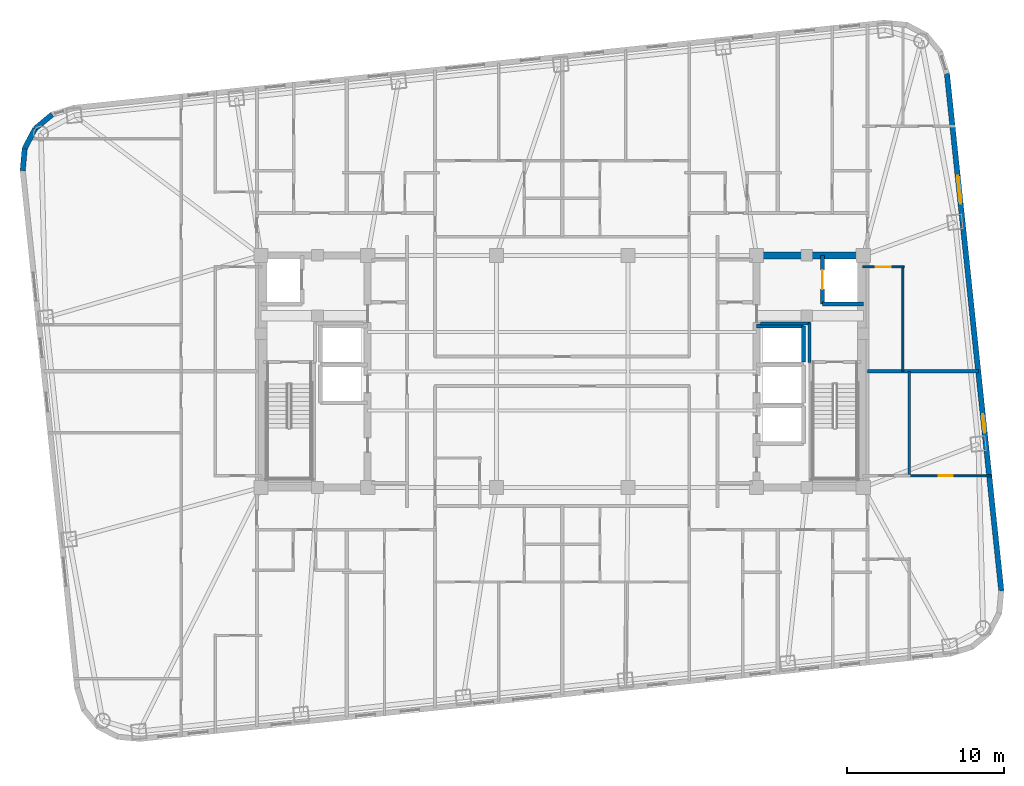
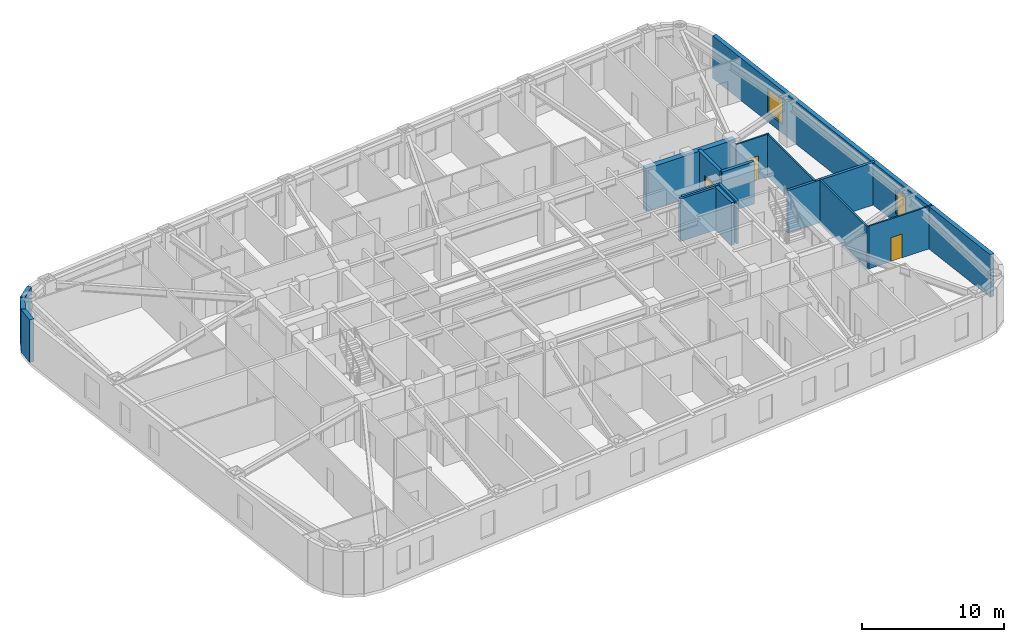
# One storey, part 7 of 12: 16 walls, 3 doors, 2 windows, 5 openings.
"""IFC4 building model written with IfcOpenShell, lengths in metres."""

from ifc_helpers import new_model, si_unit, direction, frame, frame_2d, origin, place, context, subcontext, project, spatial, rectangle, extrude, material, layer, layer_set, type_object, element, fill, save


model = new_model("IFC4")

# Units and contexts
model_context = context("Model", 3, precision=1e-05, world=origin(), true_north=direction((0.0, 1.0)))
body_context = subcontext(model_context, "Body", "Model", "MODEL_VIEW")
ifc_project = project(units=[si_unit("LENGTHUNIT", "METRE"), si_unit("AREAUNIT", "SQUARE_METRE"), si_unit("VOLUMEUNIT", "CUBIC_METRE"), si_unit("PLANEANGLEUNIT", "RADIAN"), si_unit("MASSUNIT", "GRAM", prefix="KILO")], contexts=[model_context])

# Site, building, storey
site_placement = place(None, origin())
site = spatial("IfcSite", under=ifc_project, at=site_placement, CompositionType="ELEMENT")
building_placement = place(site_placement, origin())
building = spatial("IfcBuilding", under=site, at=building_placement, Name="Voryun Gate Residences", CompositionType="ELEMENT")
storey_placement = place(building_placement, frame((0.0, 0.0, 179.39990234375)))
storey = spatial("IfcBuildingStorey", under=building, at=storey_placement, Name="L44", CompositionType="ELEMENT", Elevation=179.39990234375)

# Walls
ifc_material_1 = material(Name="Concrete C50/60", Category="concrete")
ifc_layer_1 = layer(ifc_material_1, 0.449951171875, Name="CW_CORE_450")
ifc_layer_set_1 = layer_set([ifc_layer_1], Name="Concrete C50/60")
wall_type_1 = type_object("IfcWallType", Name="CW_CORE_450", PredefinedType="SHEAR", material=ifc_layer_set_1)
wall_1_placement = place(storey_placement, frame((12.175048828125, 7.39990234375, 0.0), z_axis=(0.0, 0.0, 1.0), x_axis=(1.0, 0.0, 0.0)))
element("IfcWall", 1, at=wall_1_placement, inside=storey, type_object=wall_type_1, Name="L44 Core shear wall CW-L44-EN", PredefinedType="SHEAR", context=body_context, shape_type="SweptSolid", body=[
    extrude(rectangle(XDim=7.25, YDim=0.449951171875, at=frame_2d((3.625, 0.0))), origin(), (0.0, 0.0, 1.0), 3.650146484375),
])
ifc_material_2 = material(Name="Charcoal terracotta masonry", Category="masonry")
ifc_layer_2 = layer(ifc_material_2, 0.340087890625, Name="W_EXT_TERRACOTTA_340")
ifc_layer_set_2 = layer_set([ifc_layer_2], Name="Charcoal terracotta masonry")
wall_type_2 = type_object("IfcWallType", Name="W_EXT_TERRACOTTA_340", PredefinedType="ELEMENTEDWALL", material=ifc_layer_set_2)
wall_2_placement = place(storey_placement, frame((-34.401123046875, 12.795166015625, 0.0), z_axis=(0.0, 0.0, 1.0), x_axis=(0.091534682358, 0.995801888894, 0.0)))
element("IfcWall", 2, at=wall_2_placement, inside=storey, type_object=wall_type_2, Name="Exterior wall WEXT-L44-07", PredefinedType="ELEMENTEDWALL", context=body_context, shape_type="SweptSolid", body=[
    extrude(rectangle(XDim=1.432373046875, YDim=0.340087890625, at=frame_2d((0.71630859375, 0.0))), origin(), (0.0, 0.0, 1.0), 3.650146484375),
])
for number, where, z_axis, x_axis, name in (
    (3, (-34.27001953125, 14.221435546875, 0.0), (0.0, 0.0, 1.0), (0.465682431293, 0.884951904447, 0.0), "Exterior wall WEXT-L44-08"),
    (4, (-33.611083984375, 15.4736328125, 0.0), (0.0, 0.0, 1.0), (0.768843196093, 0.639437361921, 0.0), "Exterior wall WEXT-L44-09"),
):
    element("IfcWall", number, at=place(storey_placement, frame(where, z_axis=z_axis, x_axis=x_axis)), inside=storey, type_object=wall_type_2, Name=name, PredefinedType="ELEMENTEDWALL", context=body_context, shape_type="SweptSolid", body=[
        extrude(rectangle(XDim=1.4150390625, YDim=0.340087890625, at=frame_2d((0.70751953125, 0.0))), origin(), (0.0, 0.0, 1.0), 3.650146484375),
    ])

# Wall, openings, windows
wall_3_placement = place(storey_placement, frame((24.5341796875, 18.989501953125, 0.0), z_axis=(0.0, 0.0, 1.0), x_axis=(0.104534959766, -0.994521212537, 0.0)))
wall_3 = element("IfcWall", 5, at=wall_3_placement, inside=storey, type_object=wall_type_2, Name="Exterior wall WEXT-L44-16", PredefinedType="ELEMENTEDWALL", context=body_context, shape_type="SweptSolid", body=[
    extrude(rectangle(XDim=33.166259765625, YDim=0.340087890625, at=frame_2d((16.5830078125, 0.0))), origin(), (0.0, 0.0, 1.0), 3.650146484375),
])
opening_1_placement = place(wall_3_placement, frame((6.54150390625, 0.0, 0.75)))
opening_1 = element("IfcOpeningElement", 6, at=opening_1_placement, cuts=wall_3, Name="Opening WN1", PredefinedType="OPENING", context=body_context, shape_type="SweptSolid", body=[
    extrude(rectangle(XDim=1.800048828125, YDim=2.10009765625, at=frame_2d((0.89990234375, 1.050048828125))), frame((0.0, 0.179931640625, 0.0), z_axis=(0.0, -1.0, 0.0), x_axis=(1.0, 0.0, 0.0)), (0.0, 0.0, 1.0), 0.360107421875),
])
opening_2_placement = place(wall_3_placement, frame((21.840087890625, 0.0, 0.75)))
opening_2 = element("IfcOpeningElement", 7, at=opening_2_placement, cuts=wall_3, Name="Opening WN6", PredefinedType="OPENING", context=body_context, shape_type="SweptSolid", body=[
    extrude(rectangle(XDim=1.199951171875, YDim=2.050048828125, at=frame_2d((0.60009765625, 1.02490234375))), frame((0.0, 0.179931640625, 0.0), z_axis=(0.0, -1.0, 0.0), x_axis=(1.0, 0.0, 0.0)), (0.0, 0.0, 1.0), 0.360107421875),
])
ifc_material_3 = material(Name="Laminated low-E glass", Category="glass")
window_type_1 = type_object("IfcWindowType", Name="WN_POD_SLOT_1200", PartitioningType="SINGLE_PANEL", PredefinedType="WINDOW", material=ifc_material_3)
window_1_placement = place(opening_2_placement, origin())
window_1 = element("IfcWindow", 8, at=window_1_placement, inside=storey, type_object=window_type_1, Name="Window WN-L44-DWFIX-27", OverallHeight=2.050048828125, OverallWidth=1.199951171875, PartitioningType="SINGLE_PANEL", PredefinedType="WINDOW", context=body_context, shape_type="SweptSolid", body=[
    extrude(rectangle(XDim=1.199951171875, YDim=2.050048828125, at=frame_2d((0.60009765625, 1.02490234375))), frame((0.0, 0.030029296875, 0.0), z_axis=(0.0, -1.0, 0.0), x_axis=(1.0, 0.0, 0.0)), (0.0, 0.0, 1.0), 0.06005859375),
])
fill(opening_2, window_1)
ifc_material_4 = material(Name="Laminated low-E glass", Category="glass")
window_type_2 = type_object("IfcWindowType", Name="WN_RES_PUNCH_1800", PartitioningType="SINGLE_PANEL", PredefinedType="WINDOW", material=ifc_material_4)
window_2_placement = place(opening_1_placement, origin())
window_2 = element("IfcWindow", 9, at=window_2_placement, inside=storey, type_object=window_type_2, Name="Window WN-WEXT-L44-16-01", OverallHeight=2.10009765625, OverallWidth=1.800048828125, PartitioningType="SINGLE_PANEL", PredefinedType="WINDOW", context=body_context, shape_type="SweptSolid", body=[
    extrude(rectangle(XDim=1.800048828125, YDim=2.10009765625, at=frame_2d((0.89990234375, 1.050048828125))), frame((0.0, 0.030029296875, 0.0), z_axis=(0.0, -1.0, 0.0), x_axis=(1.0, 0.0, 0.0)), (0.0, 0.0, 1.0), 0.06005859375),
])
fill(opening_1, window_2)

# Walls
ifc_material_5 = material(Name="Concrete C40/50", Category="concrete")
ifc_layer_3 = layer(ifc_material_5, 0.199951171875, Name="W_FF_LOBBY_200")
ifc_layer_set_3 = layer_set([ifc_layer_3], Name="Concrete C40/50")
wall_type_3 = type_object("IfcWallType", Name="W_FF_LOBBY_200", PredefinedType="PARTITIONING", material=ifc_layer_set_3)
wall_4_placement = place(storey_placement, frame((15.760009765625, 0.580078125, 0.0), z_axis=(0.0, 0.0, 1.0), x_axis=(0.0, 1.0, 0.0)))
element("IfcWall", 10, at=wall_4_placement, inside=storey, type_object=wall_type_3, Name="Partition wall WP-L44-FFP0-E", PredefinedType="PARTITIONING", context=body_context, shape_type="SweptSolid", body=[
    extrude(rectangle(XDim=2.52001953125, YDim=0.199951171875, at=frame_2d((1.260009765625, 0.0))), origin(), (0.0, 0.0, 1.0), 3.650146484375),
])
wall_5_placement = place(storey_placement, frame((12.659912109375, 3.06005859375, 0.0), z_axis=(0.0, 0.0, 1.0), x_axis=(1.0, 0.0, 0.0)))
element("IfcWall", 11, at=wall_5_placement, inside=storey, type_object=wall_type_3, Name="Partition wall WP-L44-FFPS-E", PredefinedType="PARTITIONING", context=body_context, shape_type="SweptSolid", body=[
    extrude(rectangle(XDim=3.16015625, YDim=0.199951171875, at=frame_2d((1.580078125, 0.0))), origin(), (0.0, 0.0, 1.0), 3.650146484375),
])
ifc_material_6 = material(Name="Concrete C40/50", Category="concrete")
ifc_layer_4 = layer(ifc_material_6, 0.219970703125, Name="W_PARTY_ACOUSTIC_220")
ifc_layer_set_4 = layer_set([ifc_layer_4], Name="Concrete C40/50")
wall_type_4 = type_object("IfcWallType", Name="W_PARTY_ACOUSTIC_220", PredefinedType="PARTITIONING", material=ifc_layer_set_4)
wall_6_placement = place(storey_placement, frame((19.469970703125, 0.0, 0.0), z_axis=(0.0, 0.0, 1.0), x_axis=(1.0, 0.0, 0.0)))
element("IfcWall", 12, at=wall_6_placement, inside=storey, type_object=wall_type_4, Name="Partition wall WP-L44-EPTY", PredefinedType="PARTITIONING", context=body_context, shape_type="SweptSolid", body=[
    extrude(rectangle(XDim=7.06005859375, YDim=0.219970703125, at=frame_2d((3.530029296875, 0.0))), origin(), (0.0, 0.0, 1.0), 3.650146484375),
])
ifc_material_7 = material(Name="Concrete C50/60", Category="concrete")
ifc_layer_5 = layer(ifc_material_7, 0.25, Name="W_SHAFT_RC250")
ifc_layer_set_5 = layer_set([ifc_layer_5], Name="Concrete C50/60")
wall_type_5 = type_object("IfcWallType", Name="W_SHAFT_RC250", PredefinedType="SOLIDWALL", material=ifc_layer_set_5)
wall_7_placement = place(storey_placement, frame((16.60009765625, 4.300048828125, 0.0), z_axis=(0.0, 0.0, 1.0), x_axis=(1.0, 0.0, 0.0)))
element("IfcWall", 13, at=wall_7_placement, inside=storey, type_object=wall_type_5, Name="Lift shaft wall WSH-L44-EL-FF-E1-S", PredefinedType="SOLIDWALL", context=body_context, shape_type="SweptSolid", body=[
    extrude(rectangle(XDim=2.599853515625, YDim=0.25, at=frame_2d((1.2998046875, 0.0))), origin(), (0.0, 0.0, 1.0), 3.650146484375),
])

# Wall, opening, door
wall_8_placement = place(storey_placement, frame((16.60009765625, 7.39990234375, 0.0), z_axis=(0.0, 0.0, 1.0), x_axis=(0.0, -1.0, 0.0)))
wall_8 = element("IfcWall", 14, at=wall_8_placement, inside=storey, type_object=wall_type_5, Name="Lift shaft wall WSH-L44-EL-FF-E1-W", PredefinedType="SOLIDWALL", context=body_context, shape_type="SweptSolid", body=[
    extrude(rectangle(XDim=3.099853515625, YDim=0.25, at=frame_2d((1.5498046875, 0.0))), origin(), (0.0, 0.0, 1.0), 3.650146484375),
])
opening_3_placement = place(wall_8_placement, frame((0.949951171875, 0.0, 0.0)))
opening_3 = element("IfcOpeningElement", 15, at=opening_3_placement, cuts=wall_8, Name="Opening LD1", PredefinedType="OPENING", context=body_context, shape_type="SweptSolid", body=[
    extrude(rectangle(XDim=1.199951171875, YDim=2.050048828125, at=frame_2d((0.60009765625, 1.02490234375))), frame((0.0, 0.135009765625, 0.0), z_axis=(0.0, -1.0, 0.0), x_axis=(1.0, 0.0, 0.0)), (0.0, 0.0, 1.0), 0.27001953125),
])
ifc_material_8 = material(Name="Anodised aluminium", Category="aluminium")
door_type_1 = type_object("IfcDoorType", Name="DR_LD_FF_1200", OperationType="NOTDEFINED", PredefinedType="DOOR", material=ifc_material_8)
door_1_placement = place(opening_3_placement, origin())
door_1 = element("IfcDoor", 16, at=door_1_placement, inside=storey, type_object=door_type_1, Name="Lift EL-FF-E1 sliding landing door L44", OperationType="SLIDING_TO_LEFT", OverallHeight=2.050048828125, OverallWidth=1.199951171875, PredefinedType="DOOR", context=body_context, shape_type="SweptSolid", body=[
    extrude(rectangle(XDim=1.199951171875, YDim=2.050048828125, at=frame_2d((0.60009765625, 1.02490234375))), frame((0.0, 0.02490234375, 0.0), z_axis=(0.0, -1.0, 0.0), x_axis=(1.0, 0.0, 0.0)), (0.0, 0.0, 1.0), 0.050048828125),
])
fill(opening_3, door_1)

# Walls
wall_9_placement = place(storey_placement, frame((15.39990234375, 0.60009765625, 0.0), z_axis=(0.0, 0.0, 1.0), x_axis=(0.0, 1.0, 0.0)))
element("IfcWall", 17, at=wall_9_placement, inside=storey, type_object=wall_type_5, Name="Lift shaft wall WSH-L44-EL-P8-E", PredefinedType="SOLIDWALL", context=body_context, shape_type="SweptSolid", body=[
    extrude(rectangle(XDim=2.2998046875, YDim=0.25, at=frame_2d((1.14990234375, 0.0))), origin(), (0.0, 0.0, 1.0), 3.650146484375),
])
wall_10_placement = place(storey_placement, frame((15.39990234375, 2.89990234375, 0.0), z_axis=(0.0, 0.0, 1.0), x_axis=(-1.0, 0.0, 0.0)))
element("IfcWall", 18, at=wall_10_placement, inside=storey, type_object=wall_type_5, Name="Lift shaft wall WSH-L44-EL-P8-N", PredefinedType="SOLIDWALL", context=body_context, shape_type="SweptSolid", body=[
    extrude(rectangle(XDim=3.0, YDim=0.25, at=frame_2d((1.5, 0.0))), origin(), (0.0, 0.0, 1.0), 3.650146484375),
])

# Wall, opening, door
ifc_material_9 = material(Name="Gypsum acoustic partition")
ifc_layer_6 = layer(ifc_material_9, 0.125, Name="W_UNIT_PART_125")
ifc_layer_set_6 = layer_set([ifc_layer_6], Name="Gypsum acoustic partition")
wall_type_6 = type_object("IfcWallType", Name="W_UNIT_PART_125", PredefinedType="PARTITIONING", material=ifc_layer_set_6)
wall_11_placement = place(storey_placement, frame((22.06005859375, -6.659912109375, 0.0), z_axis=(0.0, 0.0, 1.0), x_axis=(1.0, 0.0, 0.0)))
wall_11 = element("IfcWall", 19, at=wall_11_placement, inside=storey, type_object=wall_type_6, Name="Partition wall WP-L44-E1-OHZ", PredefinedType="PARTITIONING", context=body_context, shape_type="SweptSolid", body=[
    extrude(rectangle(XDim=5.321044921875, YDim=0.125, at=frame_2d((2.66064453125, 0.0))), origin(), (0.0, 0.0, 1.0), 3.650146484375),
])
opening_4_placement = place(wall_11_placement, frame((1.944580078125, 0.0, 0.0)))
opening_4 = element("IfcOpeningElement", 20, at=opening_4_placement, cuts=wall_11, Name="Opening D-INT-2", PredefinedType="OPENING", context=body_context, shape_type="SweptSolid", body=[
    extrude(rectangle(XDim=0.89990234375, YDim=2.050048828125, at=frame_2d((0.449951171875, 1.02490234375))), frame((0.0, 0.072509765625, 0.0), z_axis=(0.0, -1.0, 0.0), x_axis=(1.0, 0.0, 0.0)), (0.0, 0.0, 1.0), 0.14501953125),
])
ifc_material_10 = material(Name="Architectural oak veneer")
door_type_2 = type_object("IfcDoorType", Name="DR_INT_BATH_900", OperationType="NOTDEFINED", PredefinedType="DOOR", material=ifc_material_10)
door_2_placement = place(opening_4_placement, origin())
door_2 = element("IfcDoor", 21, at=door_2_placement, inside=storey, type_object=door_type_2, Name="Door DR-L44-E1-DMB", OperationType="SINGLE_SWING_LEFT", OverallHeight=2.050048828125, OverallWidth=0.89990234375, PredefinedType="DOOR", context=body_context, shape_type="SweptSolid", body=[
    extrude(rectangle(XDim=0.89990234375, YDim=2.050048828125, at=frame_2d((0.449951171875, 1.02490234375))), frame((0.0, 0.02490234375, 0.0), z_axis=(0.0, -1.0, 0.0), x_axis=(1.0, 0.0, 0.0)), (0.0, 0.0, 1.0), 0.050048828125),
])
fill(opening_4, door_2)

wall_12_placement = place(storey_placement, frame((19.14990234375, 6.659912109375, 0.0), z_axis=(0.0, 0.0, 1.0), x_axis=(1.0, 0.0, 0.0)))
wall_12 = element("IfcWall", 22, at=wall_12_placement, inside=storey, type_object=wall_type_6, Name="Partition wall WP-L44-E2-IKA", PredefinedType="PARTITIONING", context=body_context, shape_type="SweptSolid", body=[
    extrude(rectangle(XDim=2.6591796875, YDim=0.125, at=frame_2d((1.32958984375, 0.0))), origin(), (0.0, 0.0, 1.0), 3.650146484375),
])
opening_5_placement = place(wall_12_placement, frame((0.8544921875, 0.0, 0.0)))
opening_5 = element("IfcOpeningElement", 23, at=opening_5_placement, cuts=wall_12, Name="Opening D-INT-1", PredefinedType="OPENING", context=body_context, shape_type="SweptSolid", body=[
    extrude(rectangle(XDim=0.949951171875, YDim=2.050048828125, at=frame_2d((0.47509765625, 1.02490234375))), frame((0.0, 0.072509765625, 0.0), z_axis=(0.0, -1.0, 0.0), x_axis=(1.0, 0.0, 0.0)), (0.0, 0.0, 1.0), 0.14501953125),
])
ifc_material_11 = material(Name="Architectural oak veneer")
door_type_3 = type_object("IfcDoorType", Name="DR_INT_ROOM_950", OperationType="NOTDEFINED", PredefinedType="DOOR", material=ifc_material_11)
door_3_placement = place(opening_5_placement, origin())
door_3 = element("IfcDoor", 24, at=door_3_placement, inside=storey, type_object=door_type_3, Name="Door DR-L44-E2-DK", OperationType="SINGLE_SWING_LEFT", OverallHeight=2.050048828125, OverallWidth=0.949951171875, PredefinedType="DOOR", context=body_context, shape_type="SweptSolid", body=[
    extrude(rectangle(XDim=0.949951171875, YDim=2.050048828125, at=frame_2d((0.47509765625, 1.02490234375))), frame((0.0, 0.02490234375, 0.0), z_axis=(0.0, -1.0, 0.0), x_axis=(1.0, 0.0, 0.0)), (0.0, 0.0, 1.0), 0.050048828125),
])
fill(opening_5, door_3)

# Walls
wall_13_placement = place(storey_placement, frame((21.72900390625, 0.02001953125, 0.0), z_axis=(0.0, 0.0, 1.0), x_axis=(0.0, 1.0, 0.0)))
element("IfcWall", 25, at=wall_13_placement, inside=storey, type_object=wall_type_6, Name="Partition wall WP-L44-E2-VTA", PredefinedType="PARTITIONING", context=body_context, shape_type="SweptSolid", body=[
    extrude(rectangle(XDim=6.719970703125, YDim=0.125, at=frame_2d((3.35986328125, 0.0))), origin(), (0.0, 0.0, 1.0), 3.650146484375),
])
ifc_material_12 = material(Name="Gypsum moisture-resistant partition")
ifc_layer_7 = layer(ifc_material_12, 0.14990234375, Name="W_WET_PLUMB_150")
ifc_layer_set_7 = layer_set([ifc_layer_7], Name="Gypsum moisture-resistant partition")
wall_type_7 = type_object("IfcWallType", Name="W_WET_PLUMB_150", PredefinedType="PLUMBINGWALL", material=ifc_layer_set_7)
wall_14_placement = place(storey_placement, frame((22.1201171875, -6.739990234375, 0.0), z_axis=(0.0, 0.0, 1.0), x_axis=(0.0, 1.0, 0.0)))
element("IfcWall", 26, at=wall_14_placement, inside=storey, type_object=wall_type_7, Name="Partition wall WP-L44-E1-VTB", PredefinedType="PLUMBINGWALL", context=body_context, shape_type="SweptSolid", body=[
    extrude(rectangle(XDim=6.719970703125, YDim=0.14990234375, at=frame_2d((3.35986328125, 0.0))), origin(), (0.0, 0.0, 1.0), 3.650146484375),
])

save(model, "model.ifc")
